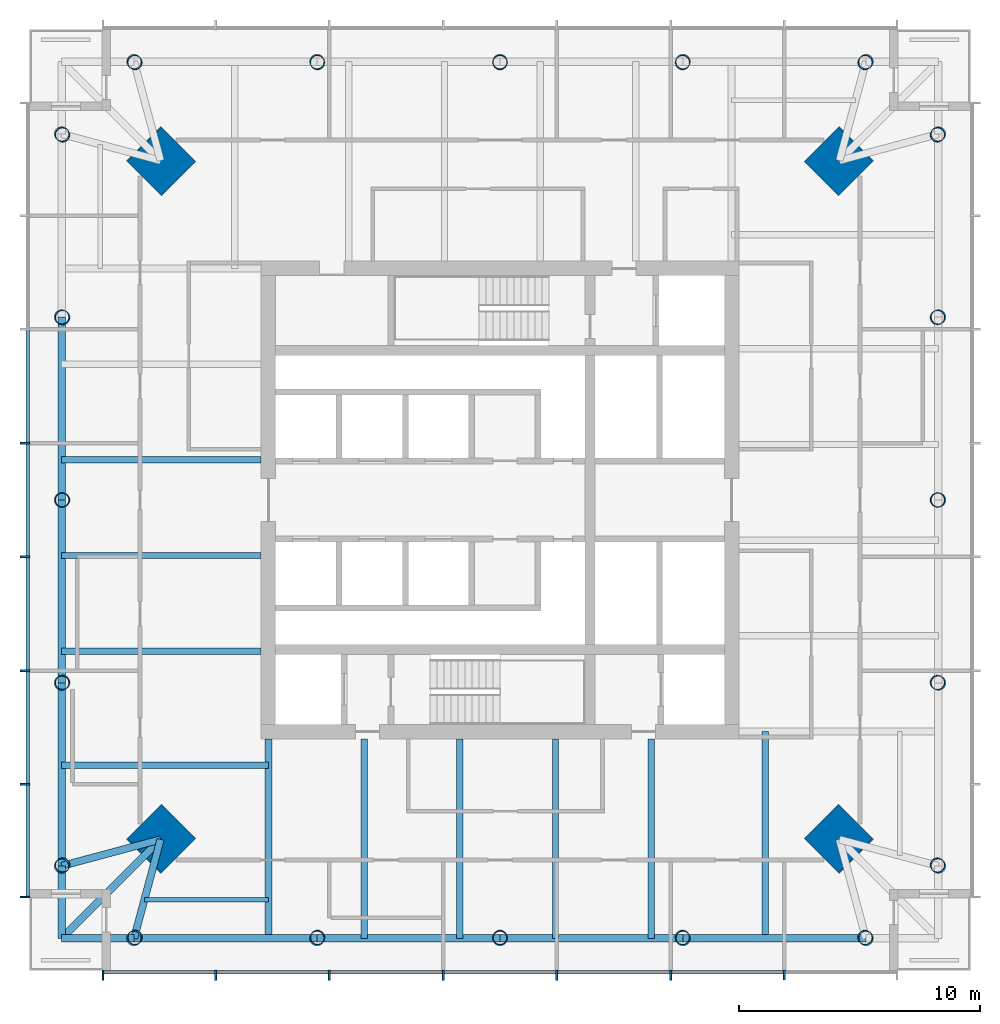
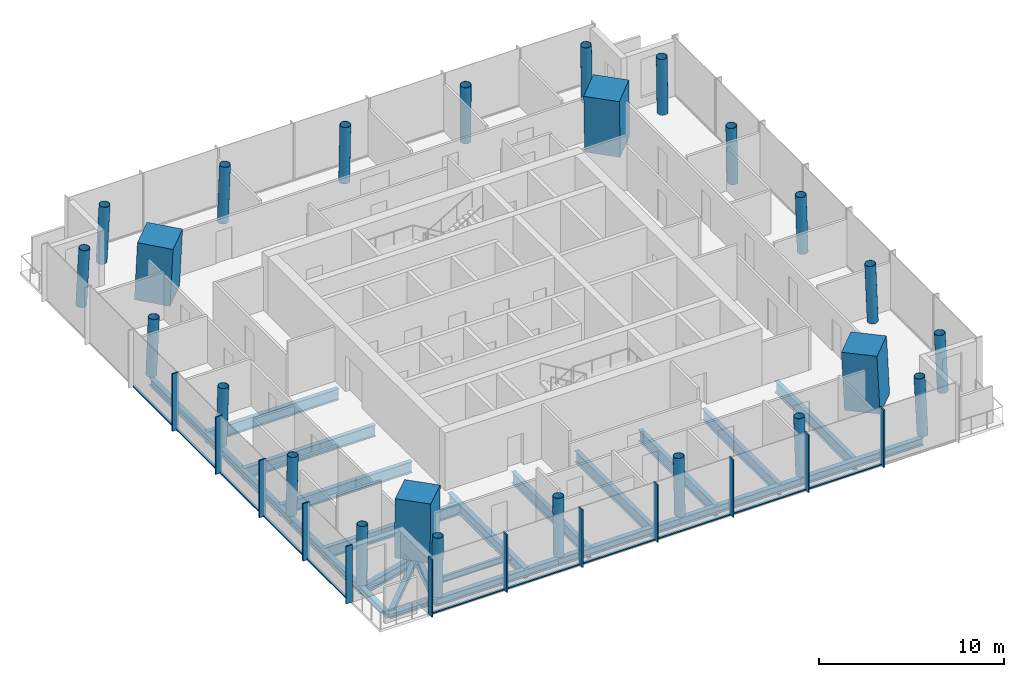
# One storey, part 1 of 7: 24 columns, 23 beams, 23 members, 2 elements without a shape of their own.
"""IFC4 building model written with IfcOpenShell, lengths in metres."""

from ifc_helpers import new_model, si_unit, direction, frame, origin, origin_2d, place, context, subcontext, project, spatial, rectangle, hollow_circle, i_section, extrude, material, material_profile, profile_set, type_object, element, aggregate, save


model = new_model("IFC4")

# Units and contexts
model_context = context("Model", 3, precision=1e-05, world=origin(), true_north=direction((0.0, 1.0)))
body_context = subcontext(model_context, "Body", "Model", "MODEL_VIEW")
ifc_project = project(units=[si_unit("LENGTHUNIT", "METRE"), si_unit("AREAUNIT", "SQUARE_METRE"), si_unit("VOLUMEUNIT", "CUBIC_METRE"), si_unit("PLANEANGLEUNIT", "RADIAN"), si_unit("MASSUNIT", "GRAM", prefix="KILO")], contexts=[model_context])

# Site, building, storey
site_placement = place(None, origin())
site = spatial("IfcSite", under=ifc_project, at=site_placement, CompositionType="ELEMENT")
building_placement = place(site_placement, origin())
building = spatial("IfcBuilding", under=site, at=building_placement, Name="Ostroluk Exchange", CompositionType="ELEMENT")
storey_placement = place(building_placement, frame((0.0, 0.0, 203.39990234375)))
storey = spatial("IfcBuildingStorey", under=building, at=storey_placement, Name="L52", CompositionType="ELEMENT", Elevation=203.39990234375)

# Columns
ifc_material_1 = material(Name="Concrete C50/60", Category="concrete")
ifc_material_profile_1 = material_profile(ifc_material_1, rectangle(XDim=2.0, YDim=2.0, at=origin_2d()), Name="RC 2000x2000")
ifc_profile_set_1 = profile_set([ifc_material_profile_1], Name="Concrete C50/60")
column_type_1 = type_object("IfcColumnType", Name="Mega column RC 2000x2000", PredefinedType="COLUMN", material=ifc_profile_set_1)
for number, where, z_axis, x_axis, name in (
    (1, (59.071533203125, 60.071533203125, 0.0), (-0.031962158256, -0.031962158256, 0.998977898093), (0.707106781187, -0.707106781187, 0.0), "T1 mega column NE"),
    (2, (30.928466796875, 60.071533203125, 0.0), (0.031962158256, -0.031962158256, 0.998977898093), (0.707106781187, 0.707106781187, 0.0), "T1 mega column NW"),
    (3, (30.928466796875, 31.928466796875, 0.0), (0.031962158256, 0.031962158256, 0.998977898093), (-0.707106781187, 0.707106781187, 0.0), "T1 mega column SW"),
    (4, (59.071533203125, 31.928466796875, 0.0), (-0.031962158256, 0.031962158256, 0.998977898093), (-0.707106781187, -0.707106781187, 0.0), "T1 mega column SE"),
):
    element("IfcColumn", number, at=place(storey_placement, frame(where, z_axis=z_axis, x_axis=x_axis)), inside=storey, type_object=column_type_1, Name=name, PredefinedType="COLUMN", context=body_context, shape_type="SweptSolid", body=[
        extrude(rectangle(XDim=2.0, YDim=2.0, at=origin_2d()), origin(), (0.0, 0.0, 1.0), 3.803955078125),
    ])
ifc_material_2 = material(Name="Steel S460", Category="steel")
ifc_material_profile_2 = material_profile(ifc_material_2, hollow_circle(Radius=0.304931640625, WallThickness=0.02490234375, at=origin_2d()), Name="CHS 610x25")
ifc_profile_set_2 = profile_set([ifc_material_profile_2], Name="Steel S460")
column_type_2 = type_object("IfcColumnType", Name="Perimeter column CHS 610x25", PredefinedType="COLUMN", material=ifc_profile_set_2)
for number, where, z_axis, x_axis, name in (
    (5, (63.17138671875, 30.82861328125, 0.0), (-0.031898107953, 0.031898107953, 0.998981992539), (-0.707106781187, -0.707106781187, 0.0), "T1 east face column E0"),
    (6, (63.17138671875, 61.17138671875, 0.0), (-0.031898107953, -0.031898107953, 0.998981992539), (0.707106781187, -0.707106781187, 0.0), "T1 east face column E1"),
):
    element("IfcColumn", number, at=place(storey_placement, frame(where, z_axis=z_axis, x_axis=x_axis)), inside=storey, type_object=column_type_2, Name=name, PredefinedType="COLUMN", context=body_context, shape_type="SweptSolid", body=[
        extrude(hollow_circle(Radius=0.304931640625, WallThickness=0.02490234375, at=origin_2d()), origin(), (0.0, 0.0, 1.0), 3.803955078125),
    ])
column_1_placement = place(storey_placement, frame((63.17138671875, 38.414306640625, 0.0), z_axis=(-0.031910269556, 0.015987237665, 0.999362868496), x_axis=(-0.447933021895, -0.894067115991, 0.0)))
element("IfcColumn", 7, at=column_1_placement, inside=storey, type_object=column_type_2, Name="T1 east face column I1", PredefinedType="COLUMN", context=body_context, shape_type="SweptSolid", body=[
    extrude(hollow_circle(Radius=0.304931640625, WallThickness=0.02490234375, at=origin_2d()), origin(), (0.0, 0.0, 1.0), 3.802490234375),
])
column_2_placement = place(storey_placement, frame((63.17138671875, 46.0, 0.0), z_axis=(-0.031914348339, 0.0, 0.999490607445), x_axis=(0.0, -1.0, 0.0)))
element("IfcColumn", 8, at=column_2_placement, inside=storey, type_object=column_type_2, Name="T1 east face column I2", PredefinedType="COLUMN", context=body_context, shape_type="SweptSolid", body=[
    extrude(hollow_circle(Radius=0.304931640625, WallThickness=0.02490234375, at=origin_2d()), origin(), (0.0, 0.0, 1.0), 3.802001953125),
])
column_3_placement = place(storey_placement, frame((63.17138671875, 53.585693359375, 0.0), z_axis=(-0.031910269556, -0.015987237665, 0.999362868496), x_axis=(0.447933021895, -0.894067115991, 0.0)))
element("IfcColumn", 9, at=column_3_placement, inside=storey, type_object=column_type_2, Name="T1 east face column I3", PredefinedType="COLUMN", context=body_context, shape_type="SweptSolid", body=[
    extrude(hollow_circle(Radius=0.304931640625, WallThickness=0.02490234375, at=origin_2d()), origin(), (0.0, 0.0, 1.0), 3.802490234375),
])
for number, where, z_axis, x_axis, name in (
    (10, (60.17138671875, 64.17138671875, 0.0), (-0.031898107953, -0.031898107953, 0.998981992539), (0.707106781187, -0.707106781187, 0.0), "T1 north face column E0"),
    (11, (29.82861328125, 64.17138671875, 0.0), (0.031898107953, -0.031898107953, 0.998981992539), (0.707106781187, 0.707106781187, 0.0), "T1 north face column E1"),
):
    element("IfcColumn", number, at=place(storey_placement, frame(where, z_axis=z_axis, x_axis=x_axis)), inside=storey, type_object=column_type_2, Name=name, PredefinedType="COLUMN", context=body_context, shape_type="SweptSolid", body=[
        extrude(hollow_circle(Radius=0.304931640625, WallThickness=0.02490234375, at=origin_2d()), origin(), (0.0, 0.0, 1.0), 3.803955078125),
    ])
column_4_placement = place(storey_placement, frame((52.585693359375, 64.17138671875, 0.0), z_axis=(-0.015987237665, -0.031910269556, 0.999362868496), x_axis=(0.894067115991, -0.447933021895, 0.0)))
element("IfcColumn", 12, at=column_4_placement, inside=storey, type_object=column_type_2, Name="T1 north face column I1", PredefinedType="COLUMN", context=body_context, shape_type="SweptSolid", body=[
    extrude(hollow_circle(Radius=0.304931640625, WallThickness=0.02490234375, at=origin_2d()), origin(), (0.0, 0.0, 1.0), 3.802490234375),
])
column_5_placement = place(storey_placement, frame((45.0, 64.17138671875, 0.0), z_axis=(0.0, -0.031914348339, 0.999490607445), x_axis=(1.0, 0.0, 0.0)))
element("IfcColumn", 13, at=column_5_placement, inside=storey, type_object=column_type_2, Name="T1 north face column I2", PredefinedType="COLUMN", context=body_context, shape_type="SweptSolid", body=[
    extrude(hollow_circle(Radius=0.304931640625, WallThickness=0.02490234375, at=origin_2d()), origin(), (0.0, 0.0, 1.0), 3.802001953125),
])
column_6_placement = place(storey_placement, frame((37.414306640625, 64.17138671875, 0.0), z_axis=(0.015987237665, -0.031910269556, 0.999362868496), x_axis=(0.894067115991, 0.447933021895, 0.0)))
element("IfcColumn", 14, at=column_6_placement, inside=storey, type_object=column_type_2, Name="T1 north face column I3", PredefinedType="COLUMN", context=body_context, shape_type="SweptSolid", body=[
    extrude(hollow_circle(Radius=0.304931640625, WallThickness=0.02490234375, at=origin_2d()), origin(), (0.0, 0.0, 1.0), 3.802490234375),
])
for number, where, z_axis, x_axis, name in (
    (15, (26.82861328125, 61.17138671875, 0.0), (0.031898107953, -0.031898107953, 0.998981992539), (0.707106781187, 0.707106781187, 0.0), "T1 west face column E0"),
    (16, (26.82861328125, 30.82861328125, 0.0), (0.031898107953, 0.031898107953, 0.998981992539), (-0.707106781187, 0.707106781187, 0.0), "T1 west face column E1"),
):
    element("IfcColumn", number, at=place(storey_placement, frame(where, z_axis=z_axis, x_axis=x_axis)), inside=storey, type_object=column_type_2, Name=name, PredefinedType="COLUMN", context=body_context, shape_type="SweptSolid", body=[
        extrude(hollow_circle(Radius=0.304931640625, WallThickness=0.02490234375, at=origin_2d()), origin(), (0.0, 0.0, 1.0), 3.803955078125),
    ])
column_7_placement = place(storey_placement, frame((26.82861328125, 53.585693359375, 0.0), z_axis=(0.031910269556, -0.015987237665, 0.999362868496), x_axis=(0.447933021895, 0.894067115991, 0.0)))
element("IfcColumn", 17, at=column_7_placement, inside=storey, type_object=column_type_2, Name="T1 west face column I1", PredefinedType="COLUMN", context=body_context, shape_type="SweptSolid", body=[
    extrude(hollow_circle(Radius=0.304931640625, WallThickness=0.02490234375, at=origin_2d()), origin(), (0.0, 0.0, 1.0), 3.802490234375),
])
column_8_placement = place(storey_placement, frame((26.82861328125, 46.0, 0.0), z_axis=(0.031914348339, 0.0, 0.999490607445), x_axis=(0.0, 1.0, 0.0)))
element("IfcColumn", 18, at=column_8_placement, inside=storey, type_object=column_type_2, Name="T1 west face column I2", PredefinedType="COLUMN", context=body_context, shape_type="SweptSolid", body=[
    extrude(hollow_circle(Radius=0.304931640625, WallThickness=0.02490234375, at=origin_2d()), origin(), (0.0, 0.0, 1.0), 3.802001953125),
])
column_9_placement = place(storey_placement, frame((26.82861328125, 38.414306640625, 0.0), z_axis=(0.031910269556, 0.015987237665, 0.999362868496), x_axis=(-0.447933021895, 0.894067115991, 0.0)))
element("IfcColumn", 19, at=column_9_placement, inside=storey, type_object=column_type_2, Name="T1 west face column I3", PredefinedType="COLUMN", context=body_context, shape_type="SweptSolid", body=[
    extrude(hollow_circle(Radius=0.304931640625, WallThickness=0.02490234375, at=origin_2d()), origin(), (0.0, 0.0, 1.0), 3.802490234375),
])
for number, where, z_axis, x_axis, name in (
    (20, (29.82861328125, 27.82861328125, 0.0), (0.031898107953, 0.031898107953, 0.998981992539), (-0.707106781187, 0.707106781187, 0.0), "T1 south face column E0"),
    (21, (60.17138671875, 27.82861328125, 0.0), (-0.031898107953, 0.031898107953, 0.998981992539), (-0.707106781187, -0.707106781187, 0.0), "T1 south face column E1"),
):
    element("IfcColumn", number, at=place(storey_placement, frame(where, z_axis=z_axis, x_axis=x_axis)), inside=storey, type_object=column_type_2, Name=name, PredefinedType="COLUMN", context=body_context, shape_type="SweptSolid", body=[
        extrude(hollow_circle(Radius=0.304931640625, WallThickness=0.02490234375, at=origin_2d()), origin(), (0.0, 0.0, 1.0), 3.803955078125),
    ])
column_10_placement = place(storey_placement, frame((37.414306640625, 27.82861328125, 0.0), z_axis=(0.015987237665, 0.031910269556, 0.999362868496), x_axis=(-0.894067115991, 0.447933021895, 0.0)))
element("IfcColumn", 22, at=column_10_placement, inside=storey, type_object=column_type_2, Name="T1 south face column I1", PredefinedType="COLUMN", context=body_context, shape_type="SweptSolid", body=[
    extrude(hollow_circle(Radius=0.304931640625, WallThickness=0.02490234375, at=origin_2d()), origin(), (0.0, 0.0, 1.0), 3.802490234375),
])
column_11_placement = place(storey_placement, frame((45.0, 27.82861328125, 0.0), z_axis=(0.0, 0.031914348339, 0.999490607445), x_axis=(-1.0, 0.0, 0.0)))
element("IfcColumn", 23, at=column_11_placement, inside=storey, type_object=column_type_2, Name="T1 south face column I2", PredefinedType="COLUMN", context=body_context, shape_type="SweptSolid", body=[
    extrude(hollow_circle(Radius=0.304931640625, WallThickness=0.02490234375, at=origin_2d()), origin(), (0.0, 0.0, 1.0), 3.802001953125),
])
column_12_placement = place(storey_placement, frame((52.585693359375, 27.82861328125, 0.0), z_axis=(-0.015987237665, 0.031910269556, 0.999362868496), x_axis=(-0.894067115991, -0.447933021895, 0.0)))
element("IfcColumn", 24, at=column_12_placement, inside=storey, type_object=column_type_2, Name="T1 south face column I3", PredefinedType="COLUMN", context=body_context, shape_type="SweptSolid", body=[
    extrude(hollow_circle(Radius=0.304931640625, WallThickness=0.02490234375, at=origin_2d()), origin(), (0.0, 0.0, 1.0), 3.802490234375),
])

# Beams
ifc_material_3 = material(Name="Steel S355", Category="steel")
ifc_material_profile_3 = material_profile(ifc_material_3, i_section(OverallWidth=0.300048828125, OverallDepth=0.300048828125, WebThickness=0.010986328125, FlangeThickness=0.01904296875, FilletRadius=0.027099609375, at=origin_2d()), Name="HEB 300")
ifc_profile_set_3 = profile_set([ifc_material_profile_3], Name="Steel S355")
beam_type_1 = type_object("IfcBeamType", Name="Balcony beam HEB 300", PredefinedType="BEAM", material=ifc_profile_set_3)
for number, where, z_axis, x_axis, name in (
    (25, (26.82861328125, 30.82861328125, -0.329833984375), (0.0, -1.0, 0.0), (1.0, 0.0, 0.0), "T1 west balcony beam a"),
    (26, (29.82861328125, 27.82861328125, -0.329833984375), (-1.0, 0.0, 0.0), (0.0, -1.0, 0.0), "T1 west balcony beam b"),
):
    element("IfcBeam", number, at=place(storey_placement, frame(where, z_axis=z_axis, x_axis=x_axis)), inside=storey, type_object=beam_type_1, Name=name, PredefinedType="BEAM", context=body_context, shape_type="SweptSolid", body=[
        extrude(i_section(OverallWidth=0.300048828125, OverallDepth=0.300048828125, WebThickness=0.010986328125, FlangeThickness=0.01904296875, FilletRadius=0.027099609375, at=origin_2d()), origin(), (0.0, 0.0, 1.0), 3.0),
    ])
beam_1_placement = place(storey_placement, frame((30.928466796875, 31.928466796875, -0.329833984375), z_axis=(-0.707106781187, -0.707106781187, 0.0), x_axis=(0.707106781187, -0.707106781187, 0.0)))
element("IfcBeam", 27, at=beam_1_placement, inside=storey, type_object=beam_type_1, Name="T1 west balcony beam c", PredefinedType="BEAM", context=body_context, shape_type="SweptSolid", body=[
    extrude(i_section(OverallWidth=0.300048828125, OverallDepth=0.300048828125, WebThickness=0.010986328125, FlangeThickness=0.01904296875, FilletRadius=0.027099609375, at=origin_2d()), origin(), (0.0, 0.0, 1.0), 5.798095703125),
])
ifc_material_4 = material(Name="Steel S355", Category="steel")
ifc_material_profile_4 = material_profile(ifc_material_4, i_section(OverallWidth=0.300048828125, OverallDepth=0.60009765625, WebThickness=0.015380859375, FlangeThickness=0.030029296875, FilletRadius=0.027099609375, at=origin_2d()), Name="HEB 600")
ifc_profile_set_4 = profile_set([ifc_material_profile_4], Name="Steel S355")
beam_type_2 = type_object("IfcBeamType", Name="Corner edge beam HEB 600", PredefinedType="SPANDREL", material=ifc_profile_set_4)
for number, where, z_axis, x_axis, name in (
    (28, (30.928466796875, 31.928466796875, -0.47998046875), (-0.965849156574, -0.259105011038, 0.0), (0.259105011038, -0.965849156574, 0.0), "T1 west corner edge beam a"),
    (29, (30.928466796875, 31.928466796875, -0.47998046875), (-0.259105011038, -0.965849156574, 0.0), (0.965849156574, -0.259105011038, 0.0), "T1 west corner edge beam b"),
):
    element("IfcBeam", number, at=place(storey_placement, frame(where, z_axis=z_axis, x_axis=x_axis)), inside=storey, type_object=beam_type_2, Name=name, PredefinedType="SPANDREL", context=body_context, shape_type="SweptSolid", body=[
        extrude(i_section(OverallWidth=0.300048828125, OverallDepth=0.60009765625, WebThickness=0.015380859375, FlangeThickness=0.030029296875, FilletRadius=0.027099609375, at=origin_2d()), origin(), (0.0, 0.0, 1.0), 4.244873046875),
    ])
ifc_material_5 = material(Name="Steel S355", Category="steel")
ifc_material_profile_5 = material_profile(ifc_material_5, i_section(OverallWidth=0.179931640625, OverallDepth=0.39990234375, WebThickness=0.008544921875, FlangeThickness=0.013427734375, FilletRadius=0.02099609375, at=origin_2d()), Name="IPE 400")
ifc_profile_set_5 = profile_set([ifc_material_profile_5], Name="Steel S355")
beam_type_3 = type_object("IfcBeamType", Name="Floor beam IPE 400", PredefinedType="BEAM", material=ifc_profile_set_5)
beam_2_placement = place(storey_placement, frame((35.39990234375, 29.428466796875, -0.3798828125), z_axis=(-1.0, 0.0, 0.0), x_axis=(0.0, -1.0, 0.0)))
element("IfcBeam", 30, at=beam_2_placement, inside=storey, type_object=beam_type_3, Name="T1 west floor beam 6", PredefinedType="BEAM", context=body_context, shape_type="SweptSolid", body=[
    extrude(i_section(OverallWidth=0.179931640625, OverallDepth=0.39990234375, WebThickness=0.008544921875, FlangeThickness=0.013427734375, FilletRadius=0.02099609375, at=origin_2d()), origin(), (0.0, 0.0, 1.0), 5.14208984375),
])
ifc_material_6 = material(Name="Steel S355", Category="steel")
ifc_material_profile_6 = material_profile(ifc_material_6, i_section(OverallWidth=0.264892578125, OverallDepth=0.7529296875, WebThickness=0.01318359375, FlangeThickness=0.01708984375, FilletRadius=0.01708984375, at=origin_2d()), Name="IPE 750x147")
ifc_profile_set_6 = profile_set([ifc_material_profile_6], Name="Steel S355")
beam_type_4 = type_object("IfcBeamType", Name="Floor beam IPE 750x147", PredefinedType="BEAM", material=ifc_profile_set_6)
for number, where, z_axis, x_axis, name in (
    (31, (35.10009765625, 47.665283203125, -0.556396484375), (-1.0, 0.0, 0.0), (0.0, -1.0, 0.0), "T1 west floor beam 2"),
    (32, (35.10009765625, 43.697998046875, -0.556396484375), (-1.0, 0.0, 0.0), (0.0, -1.0, 0.0), "T1 west floor beam 3"),
    (33, (35.10009765625, 39.730712890625, -0.556396484375), (-1.0, 0.0, 0.0), (0.0, -1.0, 0.0), "T1 west floor beam 4"),
):
    element("IfcBeam", number, at=place(storey_placement, frame(where, z_axis=z_axis, x_axis=x_axis)), inside=storey, type_object=beam_type_4, Name=name, PredefinedType="BEAM", context=body_context, shape_type="SweptSolid", body=[
        extrude(i_section(OverallWidth=0.264892578125, OverallDepth=0.7529296875, WebThickness=0.01318359375, FlangeThickness=0.01708984375, FilletRadius=0.01708984375, at=origin_2d()), origin(), (0.0, 0.0, 1.0), 8.271484375),
    ])
beam_3_placement = place(storey_placement, frame((35.39990234375, 35.0, -0.556396484375), z_axis=(-1.0, 0.0, 0.0), x_axis=(0.0, -1.0, 0.0)))
element("IfcBeam", 34, at=beam_3_placement, inside=storey, type_object=beam_type_4, Name="T1 west floor beam 5", PredefinedType="BEAM", context=body_context, shape_type="SweptSolid", body=[
    extrude(i_section(OverallWidth=0.264892578125, OverallDepth=0.7529296875, WebThickness=0.01318359375, FlangeThickness=0.01708984375, FilletRadius=0.01708984375, at=origin_2d()), origin(), (0.0, 0.0, 1.0), 8.5712890625),
])
for number, where, z_axis, x_axis, name in (
    (35, (39.367431640625, 36.10009765625, -0.556396484375), (0.0, -1.0, 0.0), (1.0, 0.0, 0.0), "T1 south floor beam 1"),
    (36, (43.334716796875, 36.10009765625, -0.556396484375), (0.0, -1.0, 0.0), (1.0, 0.0, 0.0), "T1 south floor beam 2"),
    (37, (47.302001953125, 36.10009765625, -0.556396484375), (0.0, -1.0, 0.0), (1.0, 0.0, 0.0), "T1 south floor beam 3"),
    (38, (51.269287109375, 36.10009765625, -0.556396484375), (0.0, -1.0, 0.0), (1.0, 0.0, 0.0), "T1 south floor beam 4"),
):
    element("IfcBeam", number, at=place(storey_placement, frame(where, z_axis=z_axis, x_axis=x_axis)), inside=storey, type_object=beam_type_4, Name=name, PredefinedType="BEAM", context=body_context, shape_type="SweptSolid", body=[
        extrude(i_section(OverallWidth=0.264892578125, OverallDepth=0.7529296875, WebThickness=0.01318359375, FlangeThickness=0.01708984375, FilletRadius=0.01708984375, at=origin_2d()), origin(), (0.0, 0.0, 1.0), 8.271484375),
    ])
beam_4_placement = place(storey_placement, frame((56.0, 36.39990234375, -0.556396484375), z_axis=(0.0, -1.0, 0.0), x_axis=(1.0, 0.0, 0.0)))
element("IfcBeam", 39, at=beam_4_placement, inside=storey, type_object=beam_type_4, Name="T1 south floor beam 5", PredefinedType="BEAM", context=body_context, shape_type="SweptSolid", body=[
    extrude(i_section(OverallWidth=0.264892578125, OverallDepth=0.7529296875, WebThickness=0.01318359375, FlangeThickness=0.01708984375, FilletRadius=0.01708984375, at=origin_2d()), origin(), (0.0, 0.0, 1.0), 8.5712890625),
])
ifc_material_7 = material(Name="Steel S355", Category="steel")
ifc_material_profile_7 = material_profile(ifc_material_7, i_section(OverallWidth=0.300048828125, OverallDepth=0.699951171875, WebThickness=0.01708984375, FlangeThickness=0.031982421875, FilletRadius=0.027099609375, at=origin_2d()), Name="HEB 700")
ifc_profile_set_7 = profile_set([ifc_material_profile_7], Name="Steel S355")
beam_type_5 = type_object("IfcBeamType", Name="Girder HEB 700", PredefinedType="BEAM", material=ifc_profile_set_7)
beam_5_placement = place(storey_placement, frame((35.39990234375, 36.10009765625, -0.52978515625), z_axis=(0.0, -1.0, 0.0), x_axis=(1.0, 0.0, 0.0)))
element("IfcBeam", 40, at=beam_5_placement, inside=storey, type_object=beam_type_5, Name="T1 west girder", PredefinedType="BEAM", context=body_context, shape_type="SweptSolid", body=[
    extrude(i_section(OverallWidth=0.300048828125, OverallDepth=0.699951171875, WebThickness=0.01708984375, FlangeThickness=0.031982421875, FilletRadius=0.027099609375, at=origin_2d()), origin(), (0.0, 0.0, 1.0), 8.271484375),
])
ifc_material_8 = material(Name="Steel S355", Category="steel")
ifc_material_profile_8 = material_profile(ifc_material_8, i_section(OverallWidth=0.300048828125, OverallDepth=0.5, WebThickness=0.014404296875, FlangeThickness=0.028076171875, FilletRadius=0.027099609375, at=origin_2d()), Name="HEB 500")
ifc_profile_set_8 = profile_set([ifc_material_profile_8], Name="Steel S355")
beam_type_6 = type_object("IfcBeamType", Name="Moment-connected edge beam HEB 500", PredefinedType="SPANDREL", material=ifc_profile_set_8)
for number, where, z_axis, x_axis, name in (
    (41, (26.82861328125, 53.585693359375, -0.429931640625), (0.0, -1.0, 0.0), (1.0, 0.0, 0.0), "T1 west edge beam 2"),
    (42, (26.82861328125, 46.0, -0.429931640625), (0.0, -1.0, 0.0), (1.0, 0.0, 0.0), "T1 west edge beam 3"),
    (43, (26.82861328125, 38.414306640625, -0.429931640625), (0.0, -1.0, 0.0), (1.0, 0.0, 0.0), "T1 west edge beam 4"),
    (44, (29.82861328125, 27.82861328125, -0.429931640625), (1.0, 0.0, 0.0), (0.0, 1.0, 0.0), "T1 south edge beam 1"),
    (45, (37.414306640625, 27.82861328125, -0.429931640625), (1.0, 0.0, 0.0), (0.0, 1.0, 0.0), "T1 south edge beam 2"),
    (46, (45.0, 27.82861328125, -0.429931640625), (1.0, 0.0, 0.0), (0.0, 1.0, 0.0), "T1 south edge beam 3"),
    (47, (52.585693359375, 27.82861328125, -0.429931640625), (1.0, 0.0, 0.0), (0.0, 1.0, 0.0), "T1 south edge beam 4"),
):
    element("IfcBeam", number, at=place(storey_placement, frame(where, z_axis=z_axis, x_axis=x_axis)), inside=storey, type_object=beam_type_6, Name=name, PredefinedType="SPANDREL", context=body_context, shape_type="SweptSolid", body=[
        extrude(i_section(OverallWidth=0.300048828125, OverallDepth=0.5, WebThickness=0.014404296875, FlangeThickness=0.028076171875, FilletRadius=0.027099609375, at=origin_2d()), origin(), (0.0, 0.0, 1.0), 7.585693359375),
    ])

# Curtain wall, members
ifc_material_9 = material(Name="Laminated clear glass", Category="glass")
curtain_wall_type = type_object("IfcCurtainWallType", Name="Office tower facade", PredefinedType="USERDEFINED", material=ifc_material_9)
curtain_wall_1_placement = place(storey_placement, origin())
curtain_wall_1 = element("IfcCurtainWall", 48, at=curtain_wall_1_placement, inside=storey, type_object=curtain_wall_type, Name="Office tower south facade L52", ObjectType="UNITISED CURTAIN WALL", PredefinedType="USERDEFINED")
ifc_material_10 = material(Name="Aluminium mullion", Category="aluminium")
ifc_material_profile_9 = material_profile(ifc_material_10, rectangle(XDim=0.14990234375, YDim=0.080078125, at=origin_2d()), Name="Sill transom 80 x 150")
ifc_profile_set_9 = profile_set([ifc_material_profile_9], Name="Aluminium mullion")
member_type_1 = type_object("IfcMemberType", Name="Sill transom 80 x 150", PredefinedType="USERDEFINED", material=ifc_profile_set_9)
member_1_placement = place(storey_placement, frame((28.580078125, 26.425048828125, 0.0400390625), z_axis=(1.0, 0.0, 0.0), x_axis=(0.0, 1.0, 0.0)))
member_1 = element("IfcMember", 49, at=member_1_placement, type_object=member_type_1, Name="CW-O1 transom 1.1", ObjectType="TRANSOM", PredefinedType="USERDEFINED", context=body_context, shape_type="SweptSolid", body=[
    extrude(rectangle(XDim=0.14990234375, YDim=0.080078125, at=origin_2d()), origin(), (0.0, 0.0, 1.0), 4.59423828125),
])
member_2_placement = place(storey_placement, frame((33.25439453125, 26.425048828125, 0.0400390625), z_axis=(1.0, 0.0, 0.0), x_axis=(0.0, 1.0, 0.0)))
member_2 = element("IfcMember", 50, at=member_2_placement, type_object=member_type_1, Name="CW-O1 transom 2.1", ObjectType="TRANSOM", PredefinedType="USERDEFINED", context=body_context, shape_type="SweptSolid", body=[
    extrude(rectangle(XDim=0.14990234375, YDim=0.080078125, at=origin_2d()), origin(), (0.0, 0.0, 1.0), 4.63427734375),
])
member_3_placement = place(storey_placement, frame((37.968505859375, 26.425048828125, 0.0400390625), z_axis=(1.0, 0.0, 0.0), x_axis=(0.0, 1.0, 0.0)))
member_3 = element("IfcMember", 51, at=member_3_placement, type_object=member_type_1, Name="CW-O1 transom 3.1", ObjectType="TRANSOM", PredefinedType="USERDEFINED", context=body_context, shape_type="SweptSolid", body=[
    extrude(rectangle(XDim=0.14990234375, YDim=0.080078125, at=origin_2d()), origin(), (0.0, 0.0, 1.0), 4.63427734375),
])
member_4_placement = place(storey_placement, frame((42.682861328125, 26.425048828125, 0.0400390625), z_axis=(1.0, 0.0, 0.0), x_axis=(0.0, 1.0, 0.0)))
member_4 = element("IfcMember", 52, at=member_4_placement, type_object=member_type_1, Name="CW-O1 transom 4.1", ObjectType="TRANSOM", PredefinedType="USERDEFINED", context=body_context, shape_type="SweptSolid", body=[
    extrude(rectangle(XDim=0.14990234375, YDim=0.080078125, at=origin_2d()), origin(), (0.0, 0.0, 1.0), 4.63427734375),
])
member_5_placement = place(storey_placement, frame((47.397216796875, 26.425048828125, 0.0400390625), z_axis=(1.0, 0.0, 0.0), x_axis=(0.0, 1.0, 0.0)))
member_5 = element("IfcMember", 53, at=member_5_placement, type_object=member_type_1, Name="CW-O1 transom 5.1", ObjectType="TRANSOM", PredefinedType="USERDEFINED", context=body_context, shape_type="SweptSolid", body=[
    extrude(rectangle(XDim=0.14990234375, YDim=0.080078125, at=origin_2d()), origin(), (0.0, 0.0, 1.0), 4.63427734375),
])
member_6_placement = place(storey_placement, frame((52.111328125, 26.425048828125, 0.0400390625), z_axis=(1.0, 0.0, 0.0), x_axis=(0.0, 1.0, 0.0)))
member_6 = element("IfcMember", 54, at=member_6_placement, type_object=member_type_1, Name="CW-O1 transom 6.1", ObjectType="TRANSOM", PredefinedType="USERDEFINED", context=body_context, shape_type="SweptSolid", body=[
    extrude(rectangle(XDim=0.14990234375, YDim=0.080078125, at=origin_2d()), origin(), (0.0, 0.0, 1.0), 4.63427734375),
])

curtain_wall_2_placement = place(storey_placement, origin())
curtain_wall_2 = element("IfcCurtainWall", 55, at=curtain_wall_2_placement, inside=storey, type_object=curtain_wall_type, Name="Office tower west facade L52", ObjectType="UNITISED CURTAIN WALL", PredefinedType="USERDEFINED")
member_7_placement = place(storey_placement, frame((25.425048828125, 53.031494140625, 0.0400390625), z_axis=(0.0, -1.0, 0.0), x_axis=(1.0, 0.0, 0.0)))
member_7 = element("IfcMember", 56, at=member_7_placement, type_object=member_type_1, Name="CW-O1 transom 3.1", ObjectType="TRANSOM", PredefinedType="USERDEFINED", context=body_context, shape_type="SweptSolid", body=[
    extrude(rectangle(XDim=0.14990234375, YDim=0.080078125, at=origin_2d()), origin(), (0.0, 0.0, 1.0), 4.63427734375),
])
member_8_placement = place(storey_placement, frame((25.425048828125, 48.317138671875, 0.0400390625), z_axis=(0.0, -1.0, 0.0), x_axis=(1.0, 0.0, 0.0)))
member_8 = element("IfcMember", 57, at=member_8_placement, type_object=member_type_1, Name="CW-O1 transom 4.1", ObjectType="TRANSOM", PredefinedType="USERDEFINED", context=body_context, shape_type="SweptSolid", body=[
    extrude(rectangle(XDim=0.14990234375, YDim=0.080078125, at=origin_2d()), origin(), (0.0, 0.0, 1.0), 4.63427734375),
])
member_9_placement = place(storey_placement, frame((25.425048828125, 43.602783203125, 0.0400390625), z_axis=(0.0, -1.0, 0.0), x_axis=(1.0, 0.0, 0.0)))
member_9 = element("IfcMember", 58, at=member_9_placement, type_object=member_type_1, Name="CW-O1 transom 5.1", ObjectType="TRANSOM", PredefinedType="USERDEFINED", context=body_context, shape_type="SweptSolid", body=[
    extrude(rectangle(XDim=0.14990234375, YDim=0.080078125, at=origin_2d()), origin(), (0.0, 0.0, 1.0), 4.63427734375),
])
member_10_placement = place(storey_placement, frame((25.425048828125, 38.888671875, 0.0400390625), z_axis=(0.0, -1.0, 0.0), x_axis=(1.0, 0.0, 0.0)))
member_10 = element("IfcMember", 59, at=member_10_placement, type_object=member_type_1, Name="CW-O1 transom 6.1", ObjectType="TRANSOM", PredefinedType="USERDEFINED", context=body_context, shape_type="SweptSolid", body=[
    extrude(rectangle(XDim=0.14990234375, YDim=0.080078125, at=origin_2d()), origin(), (0.0, 0.0, 1.0), 4.63427734375),
])
member_11_placement = place(storey_placement, frame((25.425048828125, 34.17431640625, 0.0400390625), z_axis=(0.0, -1.0, 0.0), x_axis=(1.0, 0.0, 0.0)))
member_11 = element("IfcMember", 60, at=member_11_placement, type_object=member_type_1, Name="CW-O1 transom 7.1", ObjectType="TRANSOM", PredefinedType="USERDEFINED", context=body_context, shape_type="SweptSolid", body=[
    extrude(rectangle(XDim=0.14990234375, YDim=0.080078125, at=origin_2d()), origin(), (0.0, 0.0, 1.0), 4.59423828125),
])

# Member
ifc_material_11 = material(Name="Aluminium mullion with limestone facing", Category="masonry")
ifc_material_profile_10 = material_profile(ifc_material_11, rectangle(XDim=0.39990234375, YDim=0.080078125, at=origin_2d()), Name="Tracery mullion 80 x 400")
ifc_profile_set_10 = profile_set([ifc_material_profile_10], Name="Aluminium mullion with limestone facing")
member_type_2 = type_object("IfcMemberType", Name="Tracery mullion 80 x 400", PredefinedType="MULLION", material=ifc_profile_set_10)
member_12_placement = place(storey_placement, frame((28.5400390625, 26.300048828125, 0.0), z_axis=(0.0, 0.0, 1.0), x_axis=(0.0, 1.0, 0.0)))
member_12 = element("IfcMember", 61, at=member_12_placement, type_object=member_type_2, Name="CW-O1 mullion 1", PredefinedType="MULLION", context=body_context, shape_type="SweptSolid", body=[
    extrude(rectangle(XDim=0.39990234375, YDim=0.080078125, at=origin_2d()), origin(), (0.0, 0.0, 1.0), 3.800048828125),
])

member_13_placement = place(storey_placement, frame((33.21435546875, 26.300048828125, 0.0), z_axis=(0.0, 0.0, 1.0), x_axis=(0.0, 1.0, 0.0)))
member_13 = element("IfcMember", 62, at=member_13_placement, type_object=member_type_2, Name="CW-O1 mullion 2", PredefinedType="MULLION", context=body_context, shape_type="SweptSolid", body=[
    extrude(rectangle(XDim=0.39990234375, YDim=0.080078125, at=origin_2d()), origin(), (0.0, 0.0, 1.0), 3.800048828125),
])

member_14_placement = place(storey_placement, frame((37.928466796875, 26.300048828125, 0.0), z_axis=(0.0, 0.0, 1.0), x_axis=(0.0, 1.0, 0.0)))
member_14 = element("IfcMember", 63, at=member_14_placement, type_object=member_type_2, Name="CW-O1 mullion 3", PredefinedType="MULLION", context=body_context, shape_type="SweptSolid", body=[
    extrude(rectangle(XDim=0.39990234375, YDim=0.080078125, at=origin_2d()), origin(), (0.0, 0.0, 1.0), 3.800048828125),
])

member_15_placement = place(storey_placement, frame((42.642822265625, 26.300048828125, 0.0), z_axis=(0.0, 0.0, 1.0), x_axis=(0.0, 1.0, 0.0)))
member_15 = element("IfcMember", 64, at=member_15_placement, type_object=member_type_2, Name="CW-O1 mullion 4", PredefinedType="MULLION", context=body_context, shape_type="SweptSolid", body=[
    extrude(rectangle(XDim=0.39990234375, YDim=0.080078125, at=origin_2d()), origin(), (0.0, 0.0, 1.0), 3.800048828125),
])

member_16_placement = place(storey_placement, frame((47.357177734375, 26.300048828125, 0.0), z_axis=(0.0, 0.0, 1.0), x_axis=(0.0, 1.0, 0.0)))
member_16 = element("IfcMember", 65, at=member_16_placement, type_object=member_type_2, Name="CW-O1 mullion 5", PredefinedType="MULLION", context=body_context, shape_type="SweptSolid", body=[
    extrude(rectangle(XDim=0.39990234375, YDim=0.080078125, at=origin_2d()), origin(), (0.0, 0.0, 1.0), 3.800048828125),
])

member_17_placement = place(storey_placement, frame((52.071533203125, 26.300048828125, 0.0), z_axis=(0.0, 0.0, 1.0), x_axis=(0.0, 1.0, 0.0)))
member_17 = element("IfcMember", 66, at=member_17_placement, type_object=member_type_2, Name="CW-O1 mullion 6", PredefinedType="MULLION", context=body_context, shape_type="SweptSolid", body=[
    extrude(rectangle(XDim=0.39990234375, YDim=0.080078125, at=origin_2d()), origin(), (0.0, 0.0, 1.0), 3.800048828125),
])

member_18_placement = place(storey_placement, frame((56.78564453125, 26.300048828125, 0.0), z_axis=(0.0, 0.0, 1.0), x_axis=(0.0, 1.0, 0.0)))
member_18 = element("IfcMember", 67, at=member_18_placement, type_object=member_type_2, Name="CW-O1 mullion 7", PredefinedType="MULLION", context=body_context, shape_type="SweptSolid", body=[
    extrude(rectangle(XDim=0.39990234375, YDim=0.080078125, at=origin_2d()), origin(), (0.0, 0.0, 1.0), 3.800048828125),
])

aggregate(curtain_wall_1, [member_12, member_13, member_14, member_15, member_16, member_17, member_18, member_1, member_2, member_3, member_4, member_5, member_6])

member_19_placement = place(storey_placement, frame((25.300048828125, 48.357177734375, 0.0), z_axis=(0.0, 0.0, 1.0), x_axis=(1.0, 0.0, 0.0)))
member_19 = element("IfcMember", 68, at=member_19_placement, type_object=member_type_2, Name="CW-O1 mullion 4", PredefinedType="MULLION", context=body_context, shape_type="SweptSolid", body=[
    extrude(rectangle(XDim=0.39990234375, YDim=0.080078125, at=origin_2d()), origin(), (0.0, 0.0, 1.0), 3.800048828125),
])

member_20_placement = place(storey_placement, frame((25.300048828125, 43.642822265625, 0.0), z_axis=(0.0, 0.0, 1.0), x_axis=(1.0, 0.0, 0.0)))
member_20 = element("IfcMember", 69, at=member_20_placement, type_object=member_type_2, Name="CW-O1 mullion 5", PredefinedType="MULLION", context=body_context, shape_type="SweptSolid", body=[
    extrude(rectangle(XDim=0.39990234375, YDim=0.080078125, at=origin_2d()), origin(), (0.0, 0.0, 1.0), 3.800048828125),
])

member_21_placement = place(storey_placement, frame((25.300048828125, 38.928466796875, 0.0), z_axis=(0.0, 0.0, 1.0), x_axis=(1.0, 0.0, 0.0)))
member_21 = element("IfcMember", 70, at=member_21_placement, type_object=member_type_2, Name="CW-O1 mullion 6", PredefinedType="MULLION", context=body_context, shape_type="SweptSolid", body=[
    extrude(rectangle(XDim=0.39990234375, YDim=0.080078125, at=origin_2d()), origin(), (0.0, 0.0, 1.0), 3.800048828125),
])

member_22_placement = place(storey_placement, frame((25.300048828125, 34.21435546875, 0.0), z_axis=(0.0, 0.0, 1.0), x_axis=(1.0, 0.0, 0.0)))
member_22 = element("IfcMember", 71, at=member_22_placement, type_object=member_type_2, Name="CW-O1 mullion 7", PredefinedType="MULLION", context=body_context, shape_type="SweptSolid", body=[
    extrude(rectangle(XDim=0.39990234375, YDim=0.080078125, at=origin_2d()), origin(), (0.0, 0.0, 1.0), 3.800048828125),
])

member_23_placement = place(storey_placement, frame((25.300048828125, 29.5400390625, 0.0), z_axis=(0.0, 0.0, 1.0), x_axis=(1.0, 0.0, 0.0)))
member_23 = element("IfcMember", 72, at=member_23_placement, type_object=member_type_2, Name="CW-O1 mullion 8", PredefinedType="MULLION", context=body_context, shape_type="SweptSolid", body=[
    extrude(rectangle(XDim=0.39990234375, YDim=0.080078125, at=origin_2d()), origin(), (0.0, 0.0, 1.0), 3.800048828125),
])

aggregate(curtain_wall_2, [member_19, member_20, member_21, member_22, member_23, member_7, member_8, member_9, member_10, member_11])

save(model, "model.ifc")
